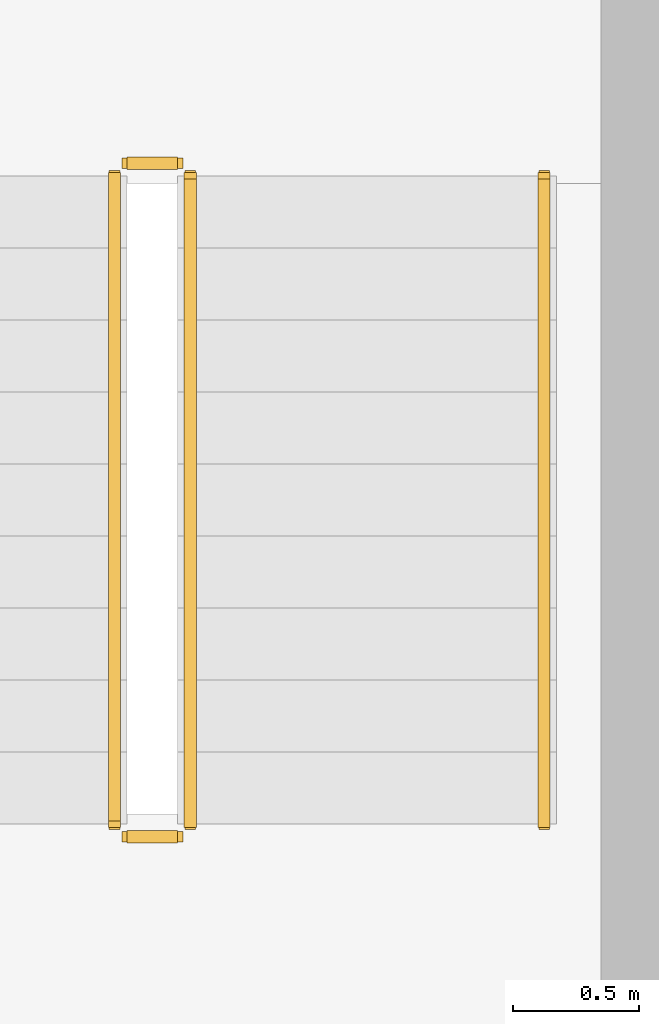
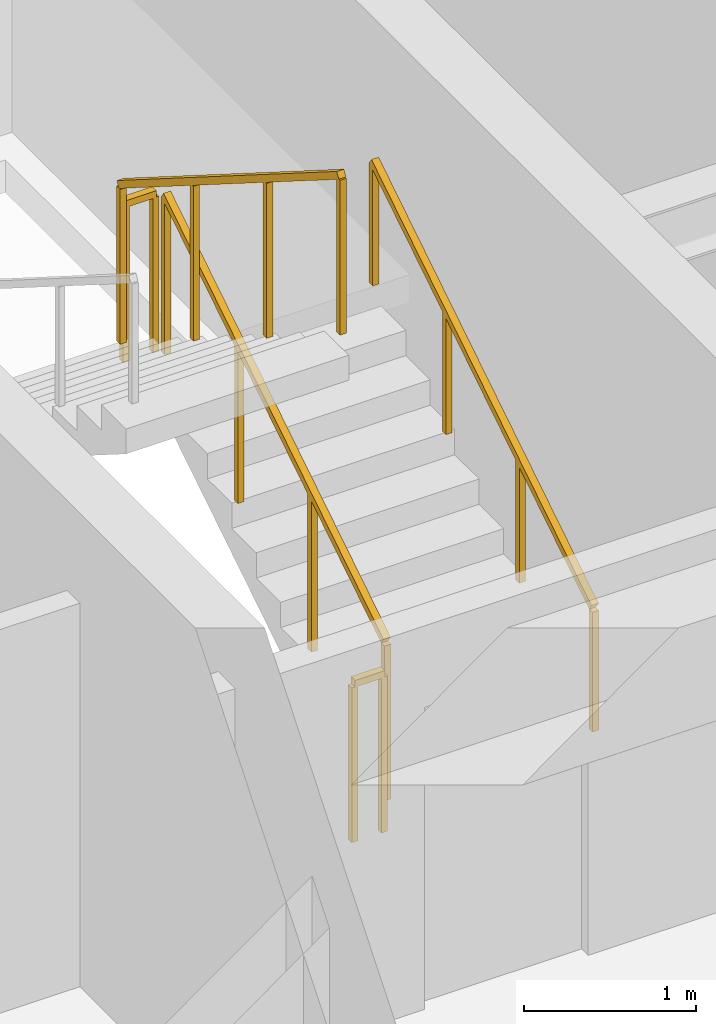
# One storey, part 22 of 22: 5 railings.
"""IFC4 building model written with IfcOpenShell, lengths in metres."""

import ifcopenshell
import ifcopenshell.guid

model = None  # the IFC model being written
_history = None  # IfcOwnerHistory: only IFC2X3 demands one
_inside = {}  # id of a spatial element -> (the spatial element, [elements in it])
_under = {}  # id of a project, library or spatial element -> (it, [spatial elements below it])
_declared = {}  # id of a project -> (the project, [libraries it declares])
_typed = {}  # id of a type object -> (the type object, [elements of that type])
_made_of = {}  # id of a material, layer set ... -> (it, [elements and type objects made of it])


def new_model(schema):
    """Start an empty IFC model of exactly this schema.

    Asked for "IFC4X3", IfcOpenShell would pick the latest addendum, in which some entities
    have other attributes; the version numbers below select the first issue.
    IFC2X3 requires an IfcOwnerHistory on every rooted entity: one is made here for all.
    """
    global model, _history
    if schema == "IFC4X3":
        model = ifcopenshell.file(schema_version=(4, 3, 0, 0))
    else:
        model = ifcopenshell.file(schema=schema)
    _inside.clear()
    _under.clear()
    _declared.clear()
    _typed.clear()
    _made_of.clear()
    _history = None
    if model.schema == "IFC2X3":
        org = make("IfcOrganization", Name="unknown")
        user = make(
            "IfcPersonAndOrganization",
            ThePerson=make("IfcPerson", FamilyName="unknown"),
            TheOrganization=org,
        )
        app = make(
            "IfcApplication",
            ApplicationDeveloper=org,
            Version="unknown",
            ApplicationFullName="unknown",
            ApplicationIdentifier="unknown",
        )
        _history = make(
            "IfcOwnerHistory",
            OwningUser=user,
            OwningApplication=app,
            ChangeAction="ADDED",
            CreationDate=0,
        )
    return model


def make(cls, **values):
    """One entity of the class cls with the attributes given. An attribute that is None is left unset."""
    return model.create_entity(
        cls, **{name: value for name, value in values.items() if value is not None}
    )


def rooted(cls, **values):
    """An entity with a GlobalId (a new one), such as an element, a storey or a relation."""
    return make(cls, GlobalId=ifcopenshell.guid.new(), OwnerHistory=_history, **values)


def si_unit(unit_type, name, prefix=None):
    """IfcSIUnit, for example si_unit("LENGTHUNIT", "METRE", prefix="MILLI")."""
    return make("IfcSIUnit", UnitType=unit_type, Prefix=prefix, Name=name)


def assignment(units):
    """IfcUnitAssignment: the units of a project."""
    return None if units is None else make("IfcUnitAssignment", Units=units)


def point(xyz):
    """IfcCartesianPoint."""
    return None if xyz is None else make("IfcCartesianPoint", Coordinates=xyz)


def direction(xyz):
    """IfcDirection."""
    return None if xyz is None else make("IfcDirection", DirectionRatios=xyz)


def frame(location, z_axis=None, x_axis=None):
    """IfcAxis2Placement3D, a coordinate frame: its origin and axes. An axis left out is left unset."""
    return make(
        "IfcAxis2Placement3D",
        Location=point(location),
        Axis=direction(z_axis),
        RefDirection=direction(x_axis),
    )


def frame_2d(location, x_axis=None):
    """IfcAxis2Placement2D, a coordinate frame in the plane: its origin and x axis."""
    return make(
        "IfcAxis2Placement2D", Location=point(location), RefDirection=direction(x_axis)
    )


def origin():
    """The frame at (0, 0, 0) with its axes left unset."""
    return frame((0.0, 0.0, 0.0))


def origin_2d():
    """The frame at (0, 0) in the plane with its x axis left unset."""
    return frame_2d((0.0, 0.0))


def place(relative_to, where):
    """IfcLocalPlacement: puts the frame where relative to a parent placement (None: the world)."""
    return make(
        "IfcLocalPlacement", PlacementRelTo=relative_to, RelativePlacement=where
    )


def context(
    kind, dimensions, precision=None, world=None, true_north=None, identifier=None
):
    """IfcGeometricRepresentationContext, for example the 3D "Model" context."""
    return make(
        "IfcGeometricRepresentationContext",
        ContextIdentifier=identifier,
        ContextType=kind,
        CoordinateSpaceDimension=dimensions,
        Precision=precision,
        WorldCoordinateSystem=world,
        TrueNorth=true_north,
    )


def subcontext(parent, identifier, kind, view, scale=None):
    """IfcGeometricRepresentationSubContext, for example "Body" below "Model"."""
    return make(
        "IfcGeometricRepresentationSubContext",
        ContextIdentifier=identifier,
        ContextType=kind,
        ParentContext=parent,
        TargetScale=scale,
        TargetView=view,
    )


def project(units=None, contexts=None):
    """IfcProject with its units and contexts."""
    return rooted(
        "IfcProject",
        Name="project",
        RepresentationContexts=contexts,
        UnitsInContext=assignment(units),
    )


def spatial(cls, under=None, at=None, **own):
    """A site, building, storey or space (cls), placed at a placement, below another one or the project."""
    s = rooted(cls, ObjectPlacement=at, **own)
    if under is not None:
        _under.setdefault(under.id(), (under, []))[1].append(s)
    return s


def profile(cls, at=None, kind="AREA", **sizes):
    """A parametric profile (cls). Its sizes go by their IFC names, for example OverallWidth=200.0."""
    return make(cls, ProfileType=kind, Position=at, **sizes)


def rectangle(**sizes):
    """IfcRectangleProfileDef."""
    return profile("IfcRectangleProfileDef", **sizes)


def extrude(swept, where, along, depth):
    """IfcExtrudedAreaSolid: the profile swept, set in the frame where, extruded along a direction by depth."""
    return make(
        "IfcExtrudedAreaSolid",
        SweptArea=swept,
        Position=where,
        ExtrudedDirection=direction(along),
        Depth=depth,
    )


def shape(context_of_items, identifier, shape_type, items):
    """IfcShapeRepresentation: the items that make up one representation, for example the "Body"."""
    return make(
        "IfcShapeRepresentation",
        ContextOfItems=context_of_items,
        RepresentationIdentifier=identifier,
        RepresentationType=shape_type,
        Items=items,
    )


def material(Name=None, Category=None):
    """IfcMaterial."""
    return make("IfcMaterial", Name=Name, Category=Category)


def made_of(thing, what):
    """Note that an element or type object is made of a material, layer set ...; save() writes the relation."""
    if what is not None:
        _made_of.setdefault(what.id(), (what, []))[1].append(thing)
    return thing


def type_object(cls, material=None, **own):
    """A type object (cls), such as IfcWallType, which elements share."""
    return made_of(rooted(cls, **own), material)


def element(
    cls,
    number,
    at=None,
    inside=None,
    cuts=None,
    type_object=None,
    material=None,
    context=None,
    identifier="Body",
    shape_type=None,
    held_by="IfcProductDefinitionShape",
    body=None,
    shapes=None,
    **own,
):
    """One element of the class cls, such as IfcWall. Its Tag is "e" and its number.

    at: its placement. inside: the storey or other place that contains it. cuts: it is an
    opening in that element (IfcRelVoidsElement). A single representation is given by context,
    identifier, shape_type and body (its items); several are given by shapes. held_by: the class
    of the entity that holds the representations. save() writes the other relations.
    """
    e = rooted(cls, Tag="e%d" % number, ObjectPlacement=at, **own)
    if body is not None:
        shapes = [shape(context, identifier, shape_type, body)]
    if shapes is not None:
        e.Representation = make(held_by, Representations=shapes)
    if inside is not None:
        _inside.setdefault(inside.id(), (inside, []))[1].append(e)
    if cuts is not None:
        rooted(
            "IfcRelVoidsElement", RelatingBuildingElement=cuts, RelatedOpeningElement=e
        )
    if type_object is not None:
        _typed.setdefault(type_object.id(), (type_object, []))[1].append(e)
    return made_of(e, material)


def aggregate(whole, parts):
    """IfcRelAggregates: a whole, such as a stair, and the parts it consists of."""
    return rooted("IfcRelAggregates", RelatingObject=whole, RelatedObjects=parts)


def save(model, path):
    """Write the relations noted so far, then the file.

    IfcRelAggregates (storeys below a building ...), IfcRelContainedInSpatialStructure (elements
    in a storey), IfcRelDefinesByType, IfcRelAssociatesMaterial and IfcRelDeclares: one each for
    every whole, place, type object, material and project.
    """
    for whole, parts in _under.values():
        aggregate(whole, parts)
    for where, things in _inside.values():
        rooted(
            "IfcRelContainedInSpatialStructure",
            RelatedElements=things,
            RelatingStructure=where,
        )
    for kind, things in _typed.values():
        rooted("IfcRelDefinesByType", RelatedObjects=things, RelatingType=kind)
    for what, things in _made_of.values():
        rooted("IfcRelAssociatesMaterial", RelatedObjects=things, RelatingMaterial=what)
    for by, libraries in _declared.values():
        rooted("IfcRelDeclares", RelatingContext=by, RelatedDefinitions=libraries)
    model.write(path)


model = new_model("IFC4")

# Units and contexts
model_context = context("Model", 3, precision=1e-05, world=origin(), true_north=direction((0.0, 1.0)))
body_context = subcontext(model_context, "Body", "Model", "MODEL_VIEW")
ifc_project = project(units=[si_unit("LENGTHUNIT", "METRE"), si_unit("AREAUNIT", "SQUARE_METRE"), si_unit("VOLUMEUNIT", "CUBIC_METRE"), si_unit("PLANEANGLEUNIT", "RADIAN"), si_unit("MASSUNIT", "GRAM", prefix="KILO")], contexts=[model_context])

# Site, building, storey
site_placement = place(None, origin())
site = spatial("IfcSite", under=ifc_project, at=site_placement, CompositionType="ELEMENT")
building_placement = place(site_placement, origin())
building = spatial("IfcBuilding", under=site, at=building_placement, Name="Sarneth Arch Tower", CompositionType="ELEMENT")
storey_placement = place(building_placement, frame((0.0, 0.0, 305.39990234375)))
storey = spatial("IfcBuildingStorey", under=building, at=storey_placement, Name="L79", CompositionType="ELEMENT", Elevation=305.39990234375)

# Railings
ifc_material_1 = material(Name="Brushed Stainless Steel 304 tubular handrail", Category="steel")
railing_type_1 = type_object("IfcRailingType", Name="RAIL-HANDRAIL-900", PredefinedType="HANDRAIL", material=ifc_material_1)
railing_1_placement = place(storey_placement, frame((58.60009765625, 41.449951171875, 0.18017578125)))
element("IfcRailing", 1, at=railing_1_placement, inside=storey, type_object=railing_type_1, Name="L79 ST-2 stair handrail 1", PredefinedType="HANDRAIL", context=body_context, shape_type="SweptSolid", body=[
    extrude(rectangle(XDim=0.048095703125, YDim=0.048095703125, at=origin_2d()), frame((0.0, 0.0, 0.8759765625), z_axis=(0.0, 0.845502289212, 0.533971796014), x_axis=(-1.0, 0.0, 0.0)), (0.0, 0.0, 1.0), 3.03369140625),
    extrude(rectangle(XDim=0.0419921875, YDim=0.0419921875, at=origin_2d()), origin(), (0.0, 0.0, 1.0), 0.851806640625),
    extrude(rectangle(XDim=0.0419921875, YDim=0.0419921875, at=origin_2d()), frame((0.0, 0.85498046875, 0.5400390625)), (0.0, 0.0, 1.0), 0.851806640625),
    extrude(rectangle(XDim=0.0419921875, YDim=0.0419921875, at=origin_2d()), frame((0.0, 1.7099609375, 1.079833984375)), (0.0, 0.0, 1.0), 0.851806640625),
    extrude(rectangle(XDim=0.0419921875, YDim=0.0419921875, at=origin_2d()), frame((0.0, 2.56494140625, 1.619873046875)), (0.0, 0.0, 1.0), 0.851806640625),
])
ifc_material_2 = material(Name="Painted Steel S275 stair well guard", Category="steel")
railing_type_2 = type_object("IfcRailingType", Name="RAIL-STAIR-GUARD", PredefinedType="GUARDRAIL", material=ifc_material_2)
railing_2_placement = place(storey_placement, frame((57.199951171875, 41.449951171875, 0.18017578125)))
element("IfcRailing", 2, at=railing_2_placement, inside=storey, type_object=railing_type_2, Name="L79 ST-2 stair guard 1", PredefinedType="GUARDRAIL", context=body_context, shape_type="SweptSolid", body=[
    extrude(rectangle(XDim=0.048095703125, YDim=0.048095703125, at=origin_2d()), frame((0.0, 0.0, 1.1259765625), z_axis=(0.0, 0.845502289212, 0.533971796014), x_axis=(-1.0, 0.0, 0.0)), (0.0, 0.0, 1.0), 3.03369140625),
    extrude(rectangle(XDim=0.0419921875, YDim=0.0419921875, at=origin_2d()), origin(), (0.0, 0.0, 1.0), 1.101806640625),
    extrude(rectangle(XDim=0.0419921875, YDim=0.0419921875, at=origin_2d()), frame((0.0, 0.85498046875, 0.5400390625)), (0.0, 0.0, 1.0), 1.101806640625),
    extrude(rectangle(XDim=0.0419921875, YDim=0.0419921875, at=origin_2d()), frame((0.0, 1.7099609375, 1.079833984375)), (0.0, 0.0, 1.0), 1.101806640625),
    extrude(rectangle(XDim=0.0419921875, YDim=0.0419921875, at=origin_2d()), frame((0.0, 2.56494140625, 1.619873046875)), (0.0, 0.0, 1.0), 1.101806640625),
])
railing_3_placement = place(storey_placement, frame((57.14990234375, 44.06494140625, 1.800048828125)))
element("IfcRailing", 3, at=railing_3_placement, inside=storey, type_object=railing_type_2, Name="L79 ST-2 stair guard 2", PredefinedType="GUARDRAIL", context=body_context, shape_type="SweptSolid", body=[
    extrude(rectangle(XDim=0.048095703125, YDim=0.048095703125, at=origin_2d()), frame((0.0, 0.0, 1.1259765625), z_axis=(-1.0, 0.0, 0.0), x_axis=(0.0, -1.0, 0.0)), (0.0, 0.0, 1.0), 0.199951171875),
    extrude(rectangle(XDim=0.0419921875, YDim=0.0419921875, at=origin_2d()), origin(), (0.0, 0.0, 1.0), 1.101806640625),
    extrude(rectangle(XDim=0.0419921875, YDim=0.0419921875, at=origin_2d()), frame((-0.199951171875, 0.0, 0.0)), (0.0, 0.0, 1.0), 1.101806640625),
])
railing_4_placement = place(storey_placement, frame((56.89990234375, 44.014892578125, 1.97998046875)))
element("IfcRailing", 4, at=railing_4_placement, inside=storey, type_object=railing_type_2, Name="L79 ST-2 stair guard 3", PredefinedType="GUARDRAIL", context=body_context, shape_type="SweptSolid", body=[
    extrude(rectangle(XDim=0.048095703125, YDim=0.048095703125, at=origin_2d()), frame((0.0, 0.0, 1.1259765625), z_axis=(0.0, -0.845465955043, 0.534029323973), x_axis=(1.0, 0.0, 0.0)), (0.0, 0.0, 1.0), 3.03369140625),
    extrude(rectangle(XDim=0.0419921875, YDim=0.0419921875, at=origin_2d()), origin(), (0.0, 0.0, 1.0), 1.101806640625),
    extrude(rectangle(XDim=0.0419921875, YDim=0.0419921875, at=origin_2d()), frame((0.0, -0.85498046875, 0.5400390625)), (0.0, 0.0, 1.0), 1.101806640625),
    extrude(rectangle(XDim=0.0419921875, YDim=0.0419921875, at=origin_2d()), frame((0.0, -1.7099609375, 1.080078125)), (0.0, 0.0, 1.0), 1.101806640625),
    extrude(rectangle(XDim=0.0419921875, YDim=0.0419921875, at=origin_2d()), frame((0.0, -2.56494140625, 1.6201171875)), (0.0, 0.0, 1.0), 1.101806640625),
])
railing_5_placement = place(storey_placement, frame((57.14990234375, 41.39990234375, 0.0)))
element("IfcRailing", 5, at=railing_5_placement, inside=storey, type_object=railing_type_2, Name="L79 ST-2 stair guard 4", PredefinedType="GUARDRAIL", context=body_context, shape_type="SweptSolid", body=[
    extrude(rectangle(XDim=0.048095703125, YDim=0.048095703125, at=origin_2d()), frame((0.0, 0.0, 1.1259765625), z_axis=(-1.0, 0.0, 0.0), x_axis=(0.0, -1.0, 0.0)), (0.0, 0.0, 1.0), 0.199951171875),
    extrude(rectangle(XDim=0.0419921875, YDim=0.0419921875, at=origin_2d()), origin(), (0.0, 0.0, 1.0), 1.101806640625),
    extrude(rectangle(XDim=0.0419921875, YDim=0.0419921875, at=origin_2d()), frame((-0.199951171875, 0.0, 0.0)), (0.0, 0.0, 1.0), 1.101806640625),
])

save(model, "model.ifc")
